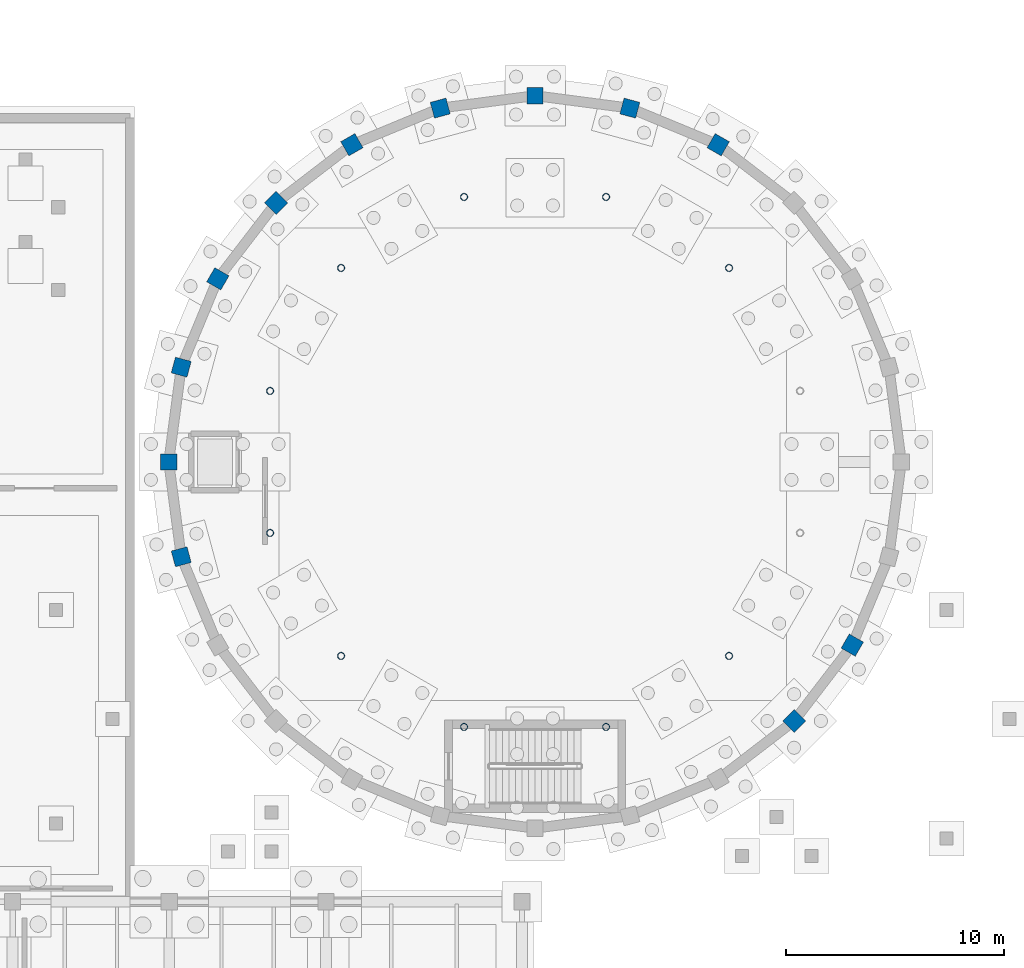
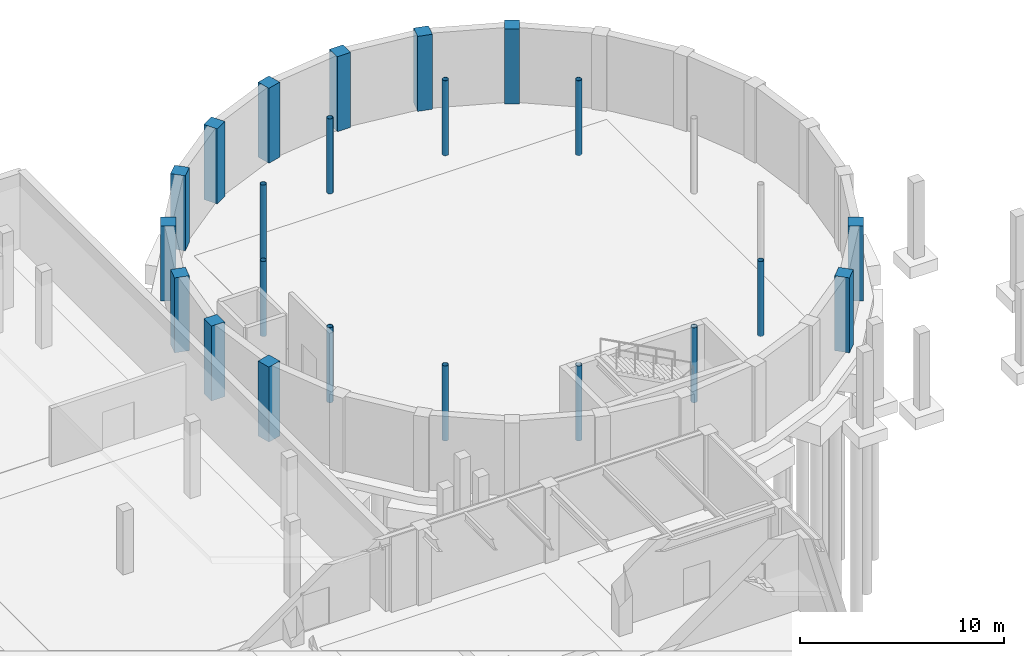
# One storey, part 8 of 26: 22 columns.
"""IFC4 building model written with IfcOpenShell, lengths in metres."""

from ifc_helpers import new_model, si_unit, direction, frame, origin, origin_2d, place, context, subcontext, project, spatial, rectangle, hollow_circle, extrude, material, material_profile, profile_set, type_object, element, save


model = new_model("IFC4")

# Units and contexts
model_context = context("Model", 3, precision=1e-05, world=origin(), true_north=direction((0.0, 1.0)))
body_context = subcontext(model_context, "Body", "Model", "MODEL_VIEW")
ifc_project = project(units=[si_unit("LENGTHUNIT", "METRE"), si_unit("AREAUNIT", "SQUARE_METRE"), si_unit("VOLUMEUNIT", "CUBIC_METRE"), si_unit("PLANEANGLEUNIT", "RADIAN"), si_unit("MASSUNIT", "GRAM", prefix="KILO")], contexts=[model_context])

# Site, building, storey
site_placement = place(None, origin())
site = spatial("IfcSite", under=ifc_project, at=site_placement, CompositionType="ELEMENT")
building_placement = place(site_placement, origin())
building = spatial("IfcBuilding", under=site, at=building_placement, Name="Kandorven Conservatory and Botanical Research Centre", CompositionType="ELEMENT")
storey_placement = place(building_placement, frame((0.0, 0.0, -4.800048828125)))
storey = spatial("IfcBuildingStorey", under=building, at=storey_placement, Name="B01", CompositionType="ELEMENT", Elevation=-4.800048828125)

# Columns
ifc_material_1 = material(Name="Concrete C40/50 (M50)", Category="concrete")
ifc_material_profile_1 = material_profile(ifc_material_1, rectangle(XDim=0.75, YDim=0.75, at=origin_2d()))
ifc_profile_set_1 = profile_set([ifc_material_profile_1], Name="Concrete C40/50 (M50)")
column_type_1 = type_object("IfcColumnType", Name="Col_DC-01", PredefinedType="COLUMN", material=ifc_profile_set_1)
for number, where, z_axis, x_axis, name in (
    (1, (96.012451171875, 62.370849609375, 0.0), (0.0, 0.0, 1.0), (0.5, 0.866025403784, 0.0), "Conservatory drum radial pier DC-01 B01 R05"),
    (2, (91.95458984375, 64.0517578125, 0.0), (0.0, 0.0, 1.0), (0.258819045103, 0.965925826289, 0.0), "Conservatory drum radial pier DC-01 B01 R06"),
    (3, (87.60009765625, 64.625, 0.0), (0.0, 0.0, 1.0), (0.0, 1.0, 0.0), "Conservatory drum radial pier DC-01 B01 R07"),
    (4, (83.245361328125, 64.0517578125, 0.0), (0.0, 0.0, 1.0), (-0.258819045103, 0.965925826289, 0.0), "Conservatory drum radial pier DC-01 B01 R08"),
    (5, (79.1875, 62.370849609375, 0.0), (0.0, 0.0, 1.0), (-0.5, 0.866025403784, 0.0), "Conservatory drum radial pier DC-01 B01 R09"),
    (6, (75.702880859375, 59.697021484375, 0.0), (0.0, 0.0, 1.0), (-0.707106781187, 0.707106781187, 0.0), "Conservatory drum radial pier DC-01 B01 R10"),
    (7, (73.029052734375, 56.21240234375, 0.0), (0.0, 0.0, 1.0), (-0.866025403784, 0.5, 0.0), "Conservatory drum radial pier DC-01 B01 R11"),
    (8, (71.348388671875, 52.154541015625, 0.0), (0.0, 0.0, 1.0), (-0.965925826289, 0.258819045103, 0.0), "Conservatory drum radial pier DC-01 B01 R12"),
    (9, (70.77490234375, 47.800048828125, 0.0), (0.0, 0.0, 1.0), (-1.0, 0.0, 0.0), "Conservatory drum radial pier DC-01 B01 R13"),
    (10, (71.348388671875, 43.4453125, 0.0), (0.0, 0.0, 1.0), (-0.965925826289, -0.258819045103, 0.0), "Conservatory drum radial pier DC-01 B01 R14"),
    (11, (99.4970703125, 35.90283203125, 0.0), (0.0, 0.0, 1.0), (0.707106781187, -0.707106781187, 0.0), "Conservatory drum radial pier DC-01 B01 R22"),
    (12, (102.1708984375, 39.387451171875, 0.0), (0.0, 0.0, 1.0), (0.866025403784, -0.5, 0.0), "Conservatory drum radial pier DC-01 B01 R23"),
):
    element("IfcColumn", number, at=place(storey_placement, frame(where, z_axis=z_axis, x_axis=x_axis)), inside=storey, type_object=column_type_1, Name=name, PredefinedType="COLUMN", context=body_context, shape_type="SweptSolid", body=[
        extrude(rectangle(XDim=0.75, YDim=0.75, at=origin_2d()), origin(), (0.0, 0.0, 1.0), 4.47998046875),
    ])
ifc_material_2 = material(Name="Steel S355 (IS 2062 E350)", Category="steel")
ifc_material_profile_2 = material_profile(ifc_material_2, hollow_circle(Radius=0.161865234375, WallThickness=0.01611328125, at=origin_2d()))
ifc_profile_set_2 = profile_set([ifc_material_profile_2], Name="Steel S355 (IS 2062 E350)")
column_type_2 = type_object("IfcColumnType", Name="Col_WC-01", PredefinedType="COLUMN", material=ifc_profile_set_2)
for number, where, z_axis, x_axis, name in (
    (13, (96.509521484375, 56.70947265625, 0.0), (0.0, 0.0, 1.0), (1.0, 0.0, 0.0), "Conservatory canopy walkway column WC-01 B01 W02"),
    (14, (90.861083984375, 59.970703125, 0.0), (0.0, 0.0, 1.0), (1.0, 0.0, 0.0), "Conservatory canopy walkway column WC-01 B01 W03"),
    (15, (84.3388671875, 59.970703125, 0.0), (0.0, 0.0, 1.0), (1.0, 0.0, 0.0), "Conservatory canopy walkway column WC-01 B01 W04"),
    (16, (78.6904296875, 56.70947265625, 0.0), (0.0, 0.0, 1.0), (1.0, 0.0, 0.0), "Conservatory canopy walkway column WC-01 B01 W05"),
    (17, (75.42919921875, 51.06103515625, 0.0), (0.0, 0.0, 1.0), (1.0, 0.0, 0.0), "Conservatory canopy walkway column WC-01 B01 W06"),
    (18, (75.42919921875, 44.538818359375, 0.0), (0.0, 0.0, 1.0), (1.0, 0.0, 0.0), "Conservatory canopy walkway column WC-01 B01 W07"),
    (19, (78.6904296875, 38.890380859375, 0.0), (0.0, 0.0, 1.0), (1.0, 0.0, 0.0), "Conservatory canopy walkway column WC-01 B01 W08"),
    (20, (84.3388671875, 35.62939453125, 0.0), (0.0, 0.0, 1.0), (1.0, 0.0, 0.0), "Conservatory canopy walkway column WC-01 B01 W09"),
    (21, (90.861083984375, 35.62939453125, 0.0), (0.0, 0.0, 1.0), (1.0, 0.0, 0.0), "Conservatory canopy walkway column WC-01 B01 W10"),
    (22, (96.509521484375, 38.890380859375, 0.0), (0.0, 0.0, 1.0), (1.0, 0.0, 0.0), "Conservatory canopy walkway column WC-01 B01 W11"),
):
    element("IfcColumn", number, at=place(storey_placement, frame(where, z_axis=z_axis, x_axis=x_axis)), inside=storey, type_object=column_type_2, Name=name, PredefinedType="COLUMN", context=body_context, shape_type="SweptSolid", body=[
        extrude(hollow_circle(Radius=0.161865234375, WallThickness=0.01611328125, at=origin_2d()), origin(), (0.0, 0.0, 1.0), 4.47998046875),
    ])

save(model, "model.ifc")
